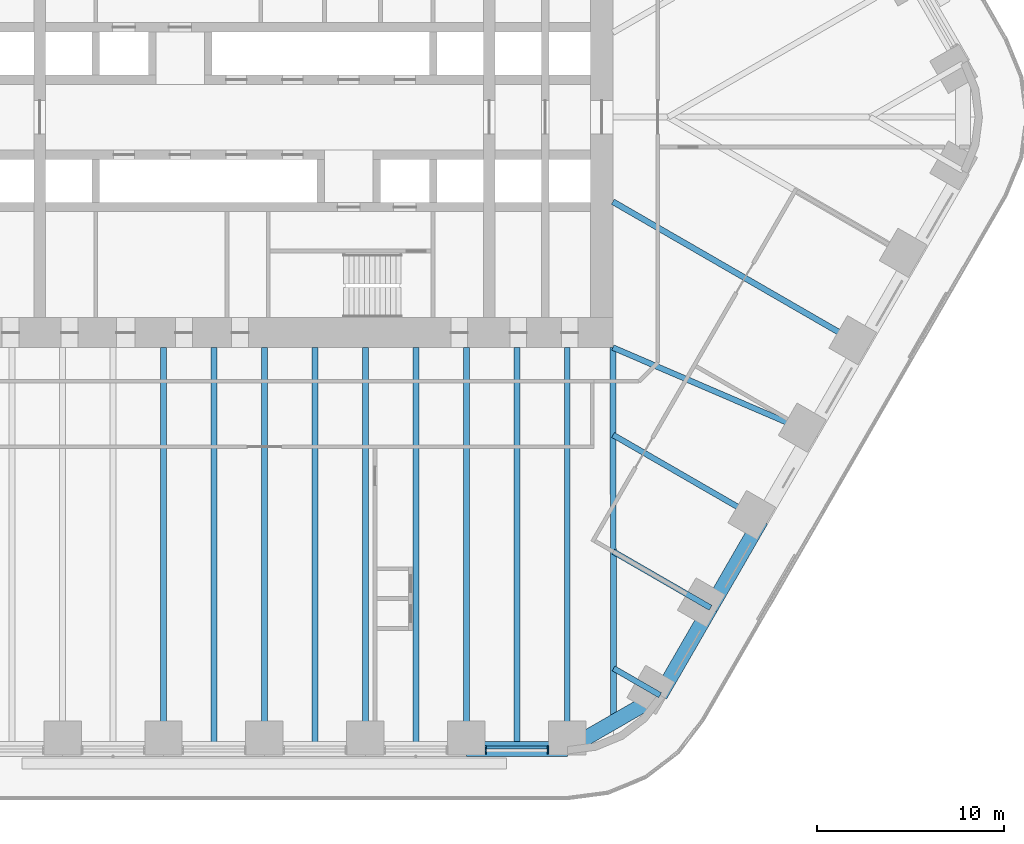
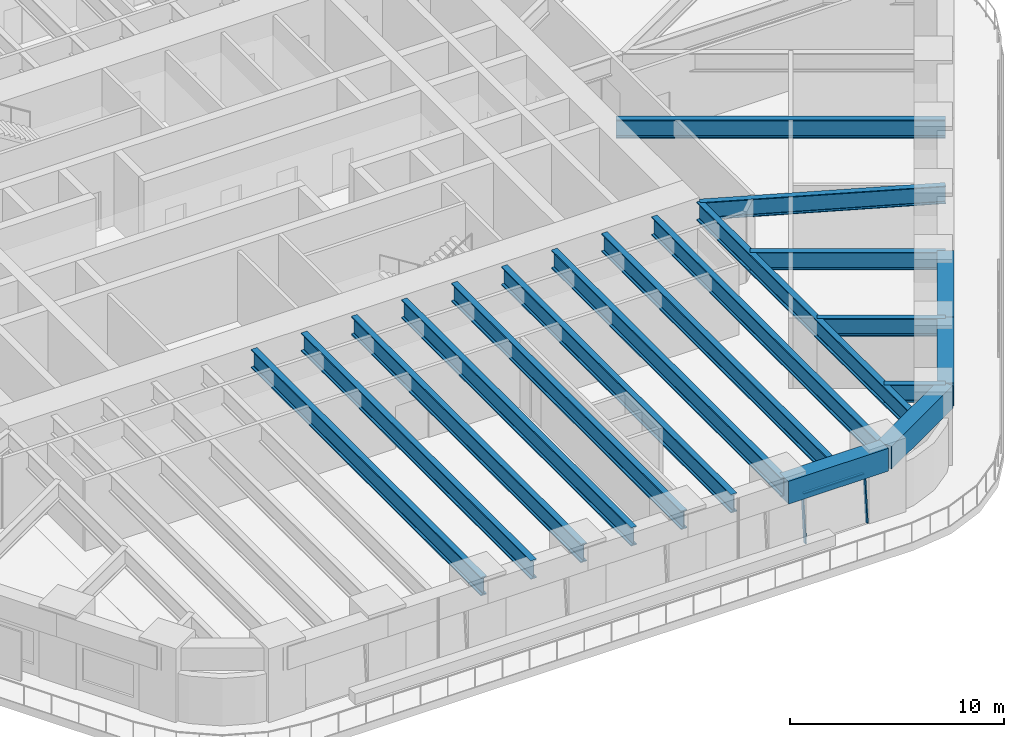
# One storey, part 5 of 23: 19 beams, 3 members, 1 element without a shape of its own.
"""IFC4 building model written with IfcOpenShell, lengths in metres."""

from ifc_helpers import new_model, si_unit, direction, frame, origin, origin_2d, place, context, subcontext, project, spatial, rectangle, i_section, extrude, material, material_profile, profile_set, type_object, element, aggregate, save


model = new_model("IFC4")

# Units and contexts
model_context = context("Model", 3, precision=1e-05, world=origin(), true_north=direction((0.0, 1.0)))
body_context = subcontext(model_context, "Body", "Model", "MODEL_VIEW")
ifc_project = project(units=[si_unit("LENGTHUNIT", "METRE"), si_unit("AREAUNIT", "SQUARE_METRE"), si_unit("VOLUMEUNIT", "CUBIC_METRE"), si_unit("PLANEANGLEUNIT", "RADIAN"), si_unit("MASSUNIT", "GRAM", prefix="KILO")], contexts=[model_context])

# Site, building, storey
site_placement = place(None, origin())
site = spatial("IfcSite", under=ifc_project, at=site_placement, CompositionType="ELEMENT")
building_placement = place(site_placement, origin())
building = spatial("IfcBuilding", under=site, at=building_placement, Name="Tarfa Lantern Tower", CompositionType="ELEMENT")
storey_placement = place(building_placement, frame((0.0, 0.0, 61.300048828125)))
storey = spatial("IfcBuildingStorey", under=building, at=storey_placement, Name="L13", CompositionType="ELEMENT", Elevation=61.300048828125)

# Curtain wall, members
ifc_material_1 = material(Name="Aluminium framed curtain wall", Category="aluminium")
curtain_wall_type = type_object("IfcCurtainWallType", Name="CW1 CANTED GLAZING LOW ZONE 2700", PredefinedType="USERDEFINED", material=ifc_material_1)
curtain_wall_placement = place(storey_placement, origin())
curtain_wall = element("IfcCurtainWall", 1, at=curtain_wall_placement, inside=storey, type_object=curtain_wall_type, Name="CW1 S L13", ObjectType="CURTAIN WALL", PredefinedType="USERDEFINED")
ifc_material_2 = material(Name="Aluminium mullion", Category="aluminium")
ifc_material_profile_1 = material_profile(ifc_material_2, rectangle(XDim=0.06494140625, YDim=0.199951171875, at=origin_2d()), Name="AL MULLION 65x200")
ifc_profile_set_1 = profile_set([ifc_material_profile_1], Name="Aluminium mullion")
member_type_1 = type_object("IfcMemberType", Name="CWM1 MULLION 65x200", PredefinedType="MULLION", material=ifc_profile_set_1)
member_1_placement = place(storey_placement, frame((11.809814453125, -33.89990234375, 0.0), z_axis=(0.0, 0.092199863775, 0.995740520979), x_axis=(-1.0, 0.0, 0.0)))
member_1 = element("IfcMember", 2, at=member_1_placement, type_object=member_type_1, Name="CW1 mullion 1", PredefinedType="MULLION", context=body_context, shape_type="SweptSolid", body=[
    extrude(rectangle(XDim=0.06494140625, YDim=0.199951171875, at=origin_2d()), origin(), (0.0, 0.0, 1.0), 2.71142578125),
])
member_2_placement = place(storey_placement, frame((15.13330078125, -33.89990234375, 0.0), z_axis=(0.0, 0.092199863775, 0.995740520979), x_axis=(-1.0, 0.0, 0.0)))
member_2 = element("IfcMember", 3, at=member_2_placement, type_object=member_type_1, Name="CW1 mullion 2", PredefinedType="MULLION", context=body_context, shape_type="SweptSolid", body=[
    extrude(rectangle(XDim=0.06494140625, YDim=0.199951171875, at=origin_2d()), origin(), (0.0, 0.0, 1.0), 2.71142578125),
])
ifc_material_3 = material(Name="Aluminium transom", Category="aluminium")
ifc_material_profile_2 = material_profile(ifc_material_3, rectangle(XDim=0.14990234375, YDim=0.06494140625, at=origin_2d()), Name="AL TRANSOM 150x65")
ifc_profile_set_2 = profile_set([ifc_material_profile_2], Name="Aluminium transom")
member_type_2 = type_object("IfcMemberType", Name="CWT1 TRANSOM 150x65", PredefinedType="USERDEFINED", material=ifc_profile_set_2)
member_3_placement = place(storey_placement, frame((11.84228515625, -33.653076171875, 2.66748046875), z_axis=(1.0, 0.0, 0.0), x_axis=(0.0, 1.0, 0.0)))
member_3 = element("IfcMember", 4, at=member_3_placement, type_object=member_type_2, Name="CW1 transom 1.2", ObjectType="TRANSOM", PredefinedType="USERDEFINED", context=body_context, shape_type="SweptSolid", body=[
    extrude(rectangle(XDim=0.14990234375, YDim=0.06494140625, at=origin_2d()), origin(), (0.0, 0.0, 1.0), 3.258544921875),
])
aggregate(curtain_wall, [member_1, member_2, member_3])

# Beams
ifc_material_4 = material(Name="Concrete C80/95", Category="concrete")
ifc_material_profile_3 = material_profile(ifc_material_4, rectangle(XDim=0.800048828125, YDim=1.300048828125, at=origin_2d()), Name="RC 800x1300")
ifc_profile_set_3 = profile_set([ifc_material_profile_3], Name="Concrete C80/95")
beam_type_1 = type_object("IfcBeamType", Name="EB1 RC 800x1300", PredefinedType="SPANDREL", material=ifc_profile_set_3)
beam_1_placement = place(storey_placement, frame((10.777099609375, -33.719970703125, 3.349853515625), z_axis=(1.0, 0.0, 0.0), x_axis=(0.0, 1.0, 0.0)))
element("IfcBeam", 5, at=beam_1_placement, inside=storey, type_object=beam_type_1, Name="Edge beam S5", PredefinedType="SPANDREL", context=body_context, shape_type="SweptSolid", body=[
    extrude(rectangle(XDim=0.800048828125, YDim=1.300048828125, at=origin_2d()), origin(), (0.0, 0.0, 1.0), 5.388671875),
])
beam_2_placement = place(storey_placement, frame((16.165771484375, -33.719970703125, 3.349853515625), z_axis=(0.866033479681, 0.499986011877, 0.0), x_axis=(-0.499986011877, 0.866033479681, 0.0)))
element("IfcBeam", 6, at=beam_2_placement, inside=storey, type_object=beam_type_1, Name="Edge beam S6", PredefinedType="SPANDREL", context=body_context, shape_type="SweptSolid", body=[
    extrude(rectangle(XDim=0.800048828125, YDim=1.300048828125, at=origin_2d()), origin(), (0.0, 0.0, 1.0), 5.719970703125),
])
for number, where, z_axis, x_axis, name in (
    (7, (21.119384765625, -30.860107421875, 3.349853515625), (0.499998287579, 0.866026392449, 0.0), (-0.866026392449, 0.499998287579, 0.0), "Edge beam SE0"),
    (8, (23.813720703125, -26.193359375, 3.349853515625), (0.499998287579, 0.866026392449, 0.0), (-0.866026392449, 0.499998287579, 0.0), "Edge beam SE1"),
):
    element("IfcBeam", number, at=place(storey_placement, frame(where, z_axis=z_axis, x_axis=x_axis)), inside=storey, type_object=beam_type_1, Name=name, PredefinedType="SPANDREL", context=body_context, shape_type="SweptSolid", body=[
        extrude(rectangle(XDim=0.800048828125, YDim=1.300048828125, at=origin_2d()), origin(), (0.0, 0.0, 1.0), 5.388671875),
    ])
ifc_material_5 = material(Name="Steel S460M", Category="steel")
ifc_material_profile_4 = material_profile(ifc_material_5, i_section(OverallWidth=0.302001953125, OverallDepth=1.008056640625, WebThickness=0.02099609375, FlangeThickness=0.0400390625, FilletRadius=0.030029296875, at=origin_2d()), Name="UB1016x305x349")
ifc_profile_set_4 = profile_set([ifc_material_profile_4], Name="Steel S460M")
beam_type_2 = type_object("IfcBeamType", Name="UB1016x305x349", PredefinedType="BEAM", material=ifc_profile_set_4)
beam_3_placement = place(storey_placement, frame((21.119384765625, -30.860107421875, 3.495849609375), z_axis=(-0.866012580594, 0.500022209759, 0.0), x_axis=(-0.500022209759, -0.866012580594, 0.0)))
element("IfcBeam", 9, at=beam_3_placement, inside=storey, type_object=beam_type_2, Name="Floor beam SE0", PredefinedType="BEAM", context=body_context, shape_type="SweptSolid", body=[
    extrude(i_section(OverallWidth=0.302001953125, OverallDepth=1.008056640625, WebThickness=0.02099609375, FlangeThickness=0.0400390625, FilletRadius=0.030029296875, at=origin_2d()), origin(), (0.0, 0.0, 1.0), 2.866943359375),
])
beam_4_placement = place(storey_placement, frame((23.813720703125, -26.193359375, 3.495849609375), z_axis=(-0.866015997389, 0.500016292001, 0.0), x_axis=(-0.500016292001, -0.866015997389, 0.0)))
element("IfcBeam", 10, at=beam_4_placement, inside=storey, type_object=beam_type_2, Name="Floor beam SE1", PredefinedType="BEAM", context=body_context, shape_type="SweptSolid", body=[
    extrude(i_section(OverallWidth=0.302001953125, OverallDepth=1.008056640625, WebThickness=0.02099609375, FlangeThickness=0.0400390625, FilletRadius=0.030029296875, at=origin_2d()), origin(), (0.0, 0.0, 1.0), 5.993408203125),
])
beam_5_placement = place(storey_placement, frame((26.508056640625, -21.526611328125, 3.495849609375), z_axis=(-0.866035355799, 0.49998276221, 0.0), x_axis=(-0.49998276221, -0.866035355799, 0.0)))
element("IfcBeam", 11, at=beam_5_placement, inside=storey, type_object=beam_type_2, Name="Floor beam SE2", PredefinedType="BEAM", context=body_context, shape_type="SweptSolid", body=[
    extrude(i_section(OverallWidth=0.302001953125, OverallDepth=1.008056640625, WebThickness=0.02099609375, FlangeThickness=0.0400390625, FilletRadius=0.030029296875, at=origin_2d()), origin(), (0.0, 0.0, 1.0), 9.119873046875),
])
beam_6_placement = place(storey_placement, frame((29.202392578125, -16.860107421875, 3.495849609375), z_axis=(-0.918635483867, 0.395106122175, 0.0), x_axis=(-0.395106122175, -0.918635483867, 0.0)))
element("IfcBeam", 12, at=beam_6_placement, inside=storey, type_object=beam_type_2, Name="Floor beam SE3", PredefinedType="BEAM", context=body_context, shape_type="SweptSolid", body=[
    extrude(i_section(OverallWidth=0.302001953125, OverallDepth=1.008056640625, WebThickness=0.02099609375, FlangeThickness=0.0400390625, FilletRadius=0.030029296875, at=origin_2d()), origin(), (0.0, 0.0, 1.0), 11.541259765625),
])
ifc_material_profile_5 = material_profile(ifc_material_5, i_section(OverallWidth=0.314208984375, OverallDepth=1.055908203125, WebThickness=0.035888671875, FlangeThickness=0.06396484375, FilletRadius=0.030029296875, at=origin_2d()), Name="UB1016x305x584")
ifc_profile_set_5 = profile_set([ifc_material_profile_5], Name="Steel S460M")
beam_type_3 = type_object("IfcBeamType", Name="UB1016x305x584", PredefinedType="BEAM", material=ifc_profile_set_5)
beam_7_placement = place(storey_placement, frame((18.60009765625, -12.300048828125, 3.471923828125), z_axis=(0.00212508222, -0.99999774201, 0.0), x_axis=(0.99999774201, 0.00212508222, 0.0)))
element("IfcBeam", 13, at=beam_7_placement, inside=storey, type_object=beam_type_3, Name="Hip girder SE", PredefinedType="BEAM", context=body_context, shape_type="SweptSolid", body=[
    extrude(i_section(OverallWidth=0.314208984375, OverallDepth=1.055908203125, WebThickness=0.035888671875, FlangeThickness=0.06396484375, FilletRadius=0.030029296875, at=origin_2d()), origin(), (0.0, 0.0, 1.0), 19.989990234375),
])
for number, where, z_axis, x_axis, name in (
    (14, (-5.388671875, -33.719970703125, 3.471923828125), (0.0, 1.0, 0.0), (-1.0, 0.0, 0.0), "Floor beam S2"),
    (15, (0.0, -33.719970703125, 3.471923828125), (0.0, 1.0, 0.0), (-1.0, 0.0, 0.0), "Floor beam S3"),
    (16, (5.388671875, -33.719970703125, 3.471923828125), (0.0, 1.0, 0.0), (-1.0, 0.0, 0.0), "Floor beam S4"),
    (17, (10.777099609375, -33.719970703125, 3.471923828125), (0.0, 1.0, 0.0), (-1.0, 0.0, 0.0), "Floor beam S5"),
    (18, (16.165771484375, -33.719970703125, 3.471923828125), (0.0, 1.0, 0.0), (-1.0, 0.0, 0.0), "Floor beam S6"),
):
    element("IfcBeam", number, at=place(storey_placement, frame(where, z_axis=z_axis, x_axis=x_axis)), inside=storey, type_object=beam_type_3, Name=name, PredefinedType="BEAM", context=body_context, shape_type="SweptSolid", body=[
        extrude(i_section(OverallWidth=0.314208984375, OverallDepth=1.055908203125, WebThickness=0.035888671875, FlangeThickness=0.06396484375, FilletRadius=0.030029296875, at=origin_2d()), origin(), (0.0, 0.0, 1.0), 21.419921875),
    ])
beam_8_placement = place(storey_placement, frame((31.896728515625, -12.193359375, 3.471923828125), z_axis=(-0.866026971665, 0.499997284341, 0.0), x_axis=(-0.499997284341, -0.866026971665, 0.0)))
element("IfcBeam", 19, at=beam_8_placement, inside=storey, type_object=beam_type_3, Name="Floor beam SE4", PredefinedType="BEAM", context=body_context, shape_type="SweptSolid", body=[
    extrude(i_section(OverallWidth=0.314208984375, OverallDepth=1.055908203125, WebThickness=0.035888671875, FlangeThickness=0.06396484375, FilletRadius=0.030029296875, at=origin_2d()), origin(), (0.0, 0.0, 1.0), 15.353515625),
])
for number, where, z_axis, x_axis, name in (
    (20, (-2.6943359375, -33.719970703125, 3.471923828125), (0.0, 1.0, 0.0), (-1.0, 0.0, 0.0), "Floor beam S2M"),
    (21, (2.6943359375, -33.719970703125, 3.471923828125), (0.0, 1.0, 0.0), (-1.0, 0.0, 0.0), "Floor beam S3M"),
    (22, (8.0830078125, -33.719970703125, 3.471923828125), (0.0, 1.0, 0.0), (-1.0, 0.0, 0.0), "Floor beam S4M"),
    (23, (13.471435546875, -33.719970703125, 3.471923828125), (0.0, 1.0, 0.0), (-1.0, 0.0, 0.0), "Floor beam S5M"),
):
    element("IfcBeam", number, at=place(storey_placement, frame(where, z_axis=z_axis, x_axis=x_axis)), inside=storey, type_object=beam_type_3, Name=name, PredefinedType="BEAM", context=body_context, shape_type="SweptSolid", body=[
        extrude(i_section(OverallWidth=0.314208984375, OverallDepth=1.055908203125, WebThickness=0.035888671875, FlangeThickness=0.06396484375, FilletRadius=0.030029296875, at=origin_2d()), origin(), (0.0, 0.0, 1.0), 21.419921875),
    ])

save(model, "model.ifc")
